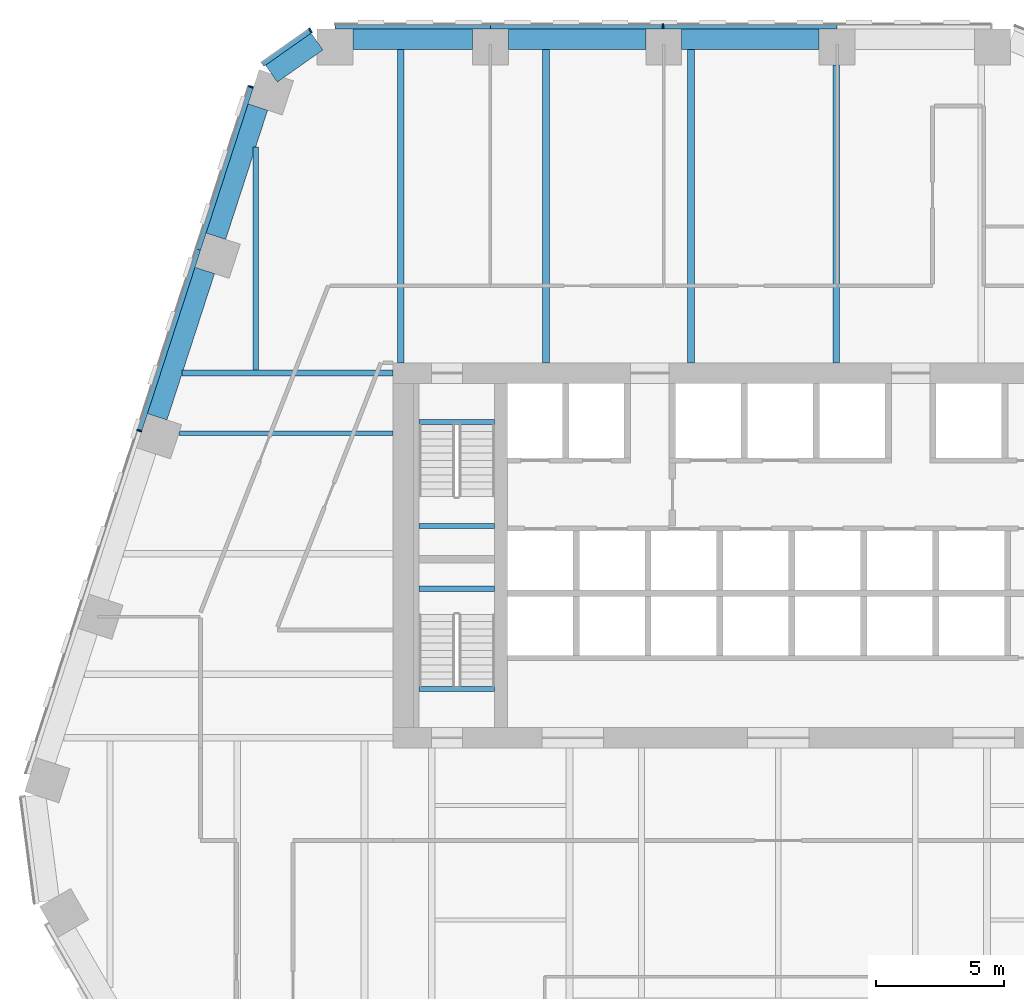
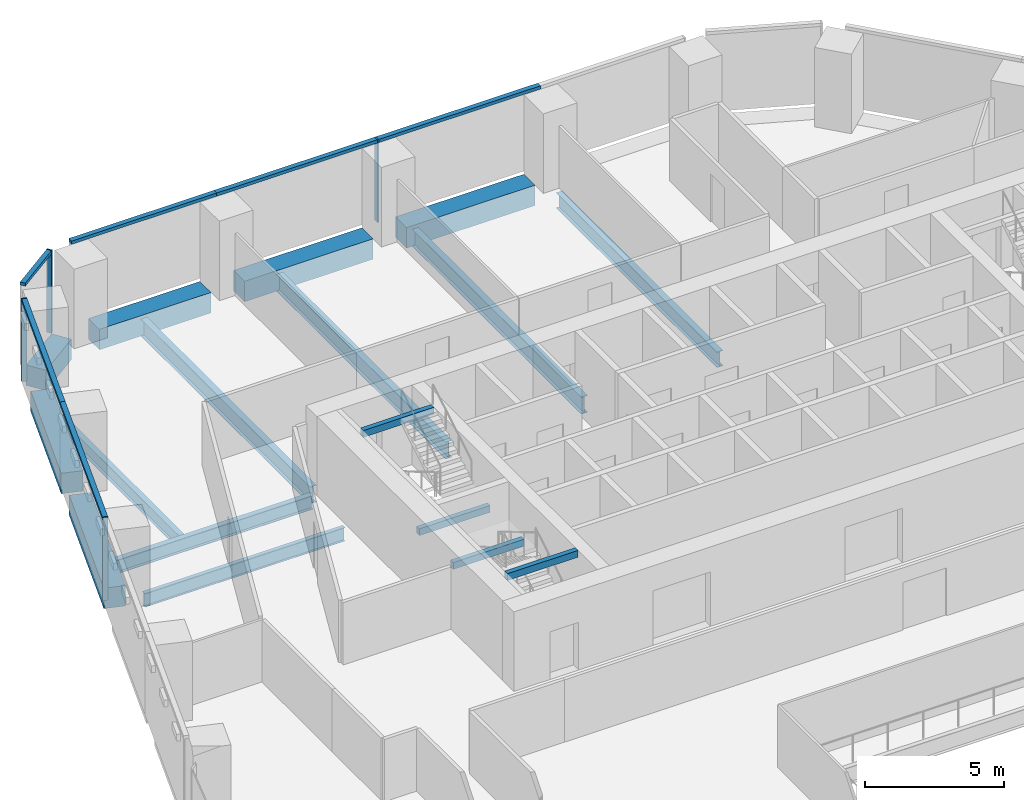
# One storey, part 7 of 17: 17 beams, 10 members, 3 elements without a shape of their own.
"""IFC4 building model written with IfcOpenShell, lengths in metres."""

from ifc_helpers import new_model, si_unit, direction, frame, origin, origin_2d, place, context, subcontext, project, spatial, rectangle, i_section, extrude, material, layer, layer_set, material_profile, profile_set, type_object, element, aggregate, save


model = new_model("IFC4")

# Units and contexts
model_context = context("Model", 3, precision=1e-05, world=origin(), true_north=direction((0.0, 1.0)))
body_context = subcontext(model_context, "Body", "Model", "MODEL_VIEW")
ifc_project = project(units=[si_unit("LENGTHUNIT", "METRE"), si_unit("AREAUNIT", "SQUARE_METRE"), si_unit("VOLUMEUNIT", "CUBIC_METRE"), si_unit("PLANEANGLEUNIT", "RADIAN"), si_unit("MASSUNIT", "GRAM", prefix="KILO")], contexts=[model_context])

# Site, building, storey
site_placement = place(None, origin())
site = spatial("IfcSite", under=ifc_project, at=site_placement, CompositionType="ELEMENT")
building_placement = place(site_placement, origin())
building = spatial("IfcBuilding", under=site, at=building_placement, Name="Isthmus Gate Tower", CompositionType="ELEMENT")
storey_placement = place(building_placement, frame((0.0, 0.0, 126.14990234375)))
storey = spatial("IfcBuildingStorey", under=building, at=storey_placement, Name="L30", CompositionType="ELEMENT", Elevation=126.14990234375)

# Curtain wall, member
ifc_material_1 = material(Name="Aluminium, pale champagne anodised", Category="aluminium")
ifc_layer = layer(ifc_material_1, 0.199951171875)
ifc_layer_set = layer_set([ifc_layer], Name="CW-1 UNITISED CURTAIN WALL 200 DEEP")
curtain_wall_type = type_object("IfcCurtainWallType", Name="CW-1 UNITISED CURTAIN WALL 200 DEEP", PredefinedType="NOTDEFINED", material=ifc_layer_set)
curtain_wall_1_placement = place(storey_placement, origin())
curtain_wall_1 = element("IfcCurtainWall", 1, at=curtain_wall_1_placement, inside=storey, type_object=curtain_wall_type, Name="CW-1 N L30", PredefinedType="NOTDEFINED")
ifc_material_2 = material(Name="Aluminium, pale champagne anodised", Category="aluminium")
ifc_material_profile_1 = material_profile(ifc_material_2, rectangle(XDim=0.06005859375, YDim=0.199951171875, at=origin_2d()), Name="60x200")
ifc_profile_set_1 = profile_set([ifc_material_profile_1], Name="Aluminium, pale champagne anodised")
member_type_1 = type_object("IfcMemberType", Name="CW-1 MULLION 60 X 200", PredefinedType="MULLION", material=ifc_profile_set_1)
member_1_placement = place(storey_placement, frame((-4.49169921875, 28.10009765625, 0.0), z_axis=(0.0, 0.0, 1.0), x_axis=(-1.0, 0.0, 0.0)))
member_1 = element("IfcMember", 2, at=member_1_placement, type_object=member_type_1, Name="CW-1 mullion", PredefinedType="MULLION", context=body_context, shape_type="SweptSolid", body=[
    extrude(rectangle(XDim=0.06005859375, YDim=0.199951171875, at=origin_2d()), origin(), (0.0, 0.0, 1.0), 3.650146484375),
])

curtain_wall_2_placement = place(storey_placement, origin())
curtain_wall_2 = element("IfcCurtainWall", 3, at=curtain_wall_2_placement, inside=storey, type_object=curtain_wall_type, Name="CW-1 N-NW L30", PredefinedType="NOTDEFINED")
member_2_placement = place(storey_placement, frame((-18.216552734375, 27.943115234375, 0.0), z_axis=(0.0, 0.0, 1.0), x_axis=(-0.81785959165, -0.57541783805, 0.0)))
member_2 = element("IfcMember", 4, at=member_2_placement, type_object=member_type_1, Name="CW-1 mullion", PredefinedType="MULLION", context=body_context, shape_type="SweptSolid", body=[
    extrude(rectangle(XDim=0.06005859375, YDim=0.199951171875, at=origin_2d()), origin(), (0.0, 0.0, 1.0), 3.650146484375),
])

# Curtain wall, members
curtain_wall_3_placement = place(storey_placement, origin())
curtain_wall_3 = element("IfcCurtainWall", 5, at=curtain_wall_3_placement, inside=storey, type_object=curtain_wall_type, Name="CW-1 NW L30", PredefinedType="NOTDEFINED")
member_3_placement = place(storey_placement, frame((-20.53564453125, 25.75146484375, 0.0), z_axis=(0.0, 0.0, 1.0), x_axis=(-0.309016994375, -0.951056516295, 0.0)))
member_3 = element("IfcMember", 6, at=member_3_placement, type_object=member_type_1, Name="CW-1 mullion", PredefinedType="MULLION", context=body_context, shape_type="SweptSolid", body=[
    extrude(rectangle(XDim=0.06005859375, YDim=0.199951171875, at=origin_2d()), origin(), (0.0, 0.0, 1.0), 3.650146484375),
])
member_4_placement = place(storey_placement, frame((-24.886962890625, 12.359130859375, 0.0), z_axis=(0.0, 0.0, 1.0), x_axis=(-0.309016994375, -0.951056516295, 0.0)))
member_4 = element("IfcMember", 7, at=member_4_placement, type_object=member_type_1, Name="CW-1 mullion", PredefinedType="MULLION", context=body_context, shape_type="SweptSolid", body=[
    extrude(rectangle(XDim=0.06005859375, YDim=0.199951171875, at=origin_2d()), origin(), (0.0, 0.0, 1.0), 3.650146484375),
])

# Member
ifc_material_3 = material(Name="Aluminium, pale champagne anodised", Category="aluminium")
ifc_material_profile_2 = material_profile(ifc_material_3, rectangle(XDim=0.199951171875, YDim=0.139892578125, at=origin_2d()), Name="200x140")
ifc_profile_set_2 = profile_set([ifc_material_profile_2], Name="Aluminium, pale champagne anodised")
member_type_2 = type_object("IfcMemberType", Name="CW-1 TRANSOM 200 X 140", PredefinedType="USERDEFINED", material=ifc_profile_set_2)
member_5_placement = place(storey_placement, frame((2.288330078125, 28.10009765625, 3.580078125), z_axis=(-1.0, 0.0, 0.0), x_axis=(0.0, -1.0, 0.0)))
member_5 = element("IfcMember", 8, at=member_5_placement, type_object=member_type_2, Name="CW-1 transom", ObjectType="TRANSOM", PredefinedType="USERDEFINED", context=body_context, shape_type="SweptSolid", body=[
    extrude(rectangle(XDim=0.199951171875, YDim=0.139892578125, at=origin_2d()), origin(), (0.0, 0.0, 1.0), 6.75),
])

member_6_placement = place(storey_placement, frame((-4.521728515625, 28.10009765625, 3.580078125), z_axis=(-1.0, 0.0, 0.0), x_axis=(0.0, -1.0, 0.0)))
member_6 = element("IfcMember", 9, at=member_6_placement, type_object=member_type_2, Name="CW-1 transom", ObjectType="TRANSOM", PredefinedType="USERDEFINED", context=body_context, shape_type="SweptSolid", body=[
    extrude(rectangle(XDim=0.199951171875, YDim=0.139892578125, at=origin_2d()), origin(), (0.0, 0.0, 1.0), 6.690185546875),
])

member_7_placement = place(storey_placement, frame((-11.2119140625, 28.10009765625, 3.580078125), z_axis=(-1.0, 0.0, 0.0), x_axis=(0.0, -1.0, 0.0)))
member_7 = element("IfcMember", 10, at=member_7_placement, type_object=member_type_2, Name="CW-1 transom", ObjectType="TRANSOM", PredefinedType="USERDEFINED", context=body_context, shape_type="SweptSolid", body=[
    extrude(rectangle(XDim=0.199951171875, YDim=0.139892578125, at=origin_2d()), origin(), (0.0, 0.0, 1.0), 6.050048828125),
])

aggregate(curtain_wall_1, [member_5, member_1, member_6, member_7])

member_8_placement = place(storey_placement, frame((-18.2412109375, 27.92578125, 3.580078125), z_axis=(-0.817868595604, -0.575405040233, 0.0), x_axis=(0.575405040233, -0.817868595604, 0.0)))
member_8 = element("IfcMember", 11, at=member_8_placement, type_object=member_type_2, Name="CW-1 transom", ObjectType="TRANSOM", PredefinedType="USERDEFINED", context=body_context, shape_type="SweptSolid", body=[
    extrude(rectangle(XDim=0.199951171875, YDim=0.139892578125, at=origin_2d()), origin(), (0.0, 0.0, 1.0), 2.258544921875),
])

aggregate(curtain_wall_2, [member_2, member_8])

member_9_placement = place(storey_placement, frame((-20.544921875, 25.72314453125, 3.580078125), z_axis=(-0.30898366881, -0.951067343782, 0.0), x_axis=(0.951067343782, -0.30898366881, 0.0)))
member_9 = element("IfcMember", 12, at=member_9_placement, type_object=member_type_2, Name="CW-1 transom", ObjectType="TRANSOM", PredefinedType="USERDEFINED", context=body_context, shape_type="SweptSolid", body=[
    extrude(rectangle(XDim=0.199951171875, YDim=0.139892578125, at=origin_2d()), origin(), (0.0, 0.0, 1.0), 6.630859375),
])

member_10_placement = place(storey_placement, frame((-22.59375, 19.416748046875, 3.580078125), z_axis=(-0.309024076379, -0.951054215183, 0.0), x_axis=(0.951054215183, -0.309024076379, 0.0)))
member_10 = element("IfcMember", 13, at=member_10_placement, type_object=member_type_2, Name="CW-1 transom", ObjectType="TRANSOM", PredefinedType="USERDEFINED", context=body_context, shape_type="SweptSolid", body=[
    extrude(rectangle(XDim=0.199951171875, YDim=0.139892578125, at=origin_2d()), origin(), (0.0, 0.0, 1.0), 7.390869140625),
])

aggregate(curtain_wall_3, [member_3, member_9, member_10, member_4])

# Beams
ifc_material_4 = material(Name="Concrete f'c 60 MPa", Category="concrete")
ifc_material_profile_3 = material_profile(ifc_material_4, rectangle(XDim=0.800048828125, YDim=0.89990234375, at=origin_2d()), Name="RC 800X900")
ifc_profile_set_3 = profile_set([ifc_material_profile_3], Name="Concrete f'c 60 MPa")
beam_type_1 = type_object("IfcBeamType", Name="RC SPANDREL 800 X 900", PredefinedType="SPANDREL", material=ifc_profile_set_3)
beam_1_placement = place(storey_placement, frame((-24.185791015625, 12.89892578125, -0.449951171875), z_axis=(0.308992998998, 0.951064312531, 0.0), x_axis=(-0.951064312531, 0.308992998998, 0.0)))
element("IfcBeam", 14, at=beam_1_placement, inside=storey, type_object=beam_type_1, Name="str-spandrel-L30-23", PredefinedType="SPANDREL", context=body_context, shape_type="SweptSolid", body=[
    extrude(rectangle(XDim=0.800048828125, YDim=0.89990234375, at=origin_2d()), origin(), (0.0, 0.0, 1.0), 5.99072265625),
])
beam_2_placement = place(storey_placement, frame((-21.902099609375, 19.927978515625, -0.449951171875), z_axis=(0.309020339202, 0.951055429489, 0.0), x_axis=(-0.951055429489, 0.309020339202, 0.0)))
element("IfcBeam", 15, at=beam_2_placement, inside=storey, type_object=beam_type_1, Name="str-spandrel-L30-24", PredefinedType="SPANDREL", context=body_context, shape_type="SweptSolid", body=[
    extrude(rectangle(XDim=0.800048828125, YDim=0.89990234375, at=origin_2d()), origin(), (0.0, 0.0, 1.0), 5.291015625),
])
beam_3_placement = place(storey_placement, frame((-19.7392578125, 26.260498046875, -0.449951171875), z_axis=(0.817857331203, 0.575421050882, 0.0), x_axis=(-0.575421050882, 0.817857331203, 0.0)))
element("IfcBeam", 16, at=beam_3_placement, inside=storey, type_object=beam_type_1, Name="str-spandrel-L30-25", PredefinedType="SPANDREL", context=body_context, shape_type="SweptSolid", body=[
    extrude(rectangle(XDim=0.800048828125, YDim=0.89990234375, at=origin_2d()), origin(), (0.0, 0.0, 1.0), 2.173095703125),
])
beam_4_placement = place(storey_placement, frame((-16.56201171875, 27.60009765625, -0.449951171875), z_axis=(1.0, 0.0, 0.0), x_axis=(0.0, 1.0, 0.0)))
element("IfcBeam", 17, at=beam_4_placement, inside=storey, type_object=beam_type_1, Name="str-spandrel-L30-26", PredefinedType="SPANDREL", context=body_context, shape_type="SweptSolid", body=[
    extrude(rectangle(XDim=0.800048828125, YDim=0.89990234375, at=origin_2d()), origin(), (0.0, 0.0, 1.0), 4.650146484375),
])
for number, where, z_axis, x_axis, name in (
    (18, (-10.51171875, 27.60009765625, -0.449951171875), (1.0, 0.0, 0.0), (0.0, 1.0, 0.0), "str-spandrel-L30-27"),
    (19, (-3.76171875, 27.60009765625, -0.449951171875), (1.0, 0.0, 0.0), (0.0, 1.0, 0.0), "str-spandrel-L30-28"),
):
    element("IfcBeam", number, at=place(storey_placement, frame(where, z_axis=z_axis, x_axis=x_axis)), inside=storey, type_object=beam_type_1, Name=name, PredefinedType="SPANDREL", context=body_context, shape_type="SweptSolid", body=[
        extrude(rectangle(XDim=0.800048828125, YDim=0.89990234375, at=origin_2d()), origin(), (0.0, 0.0, 1.0), 5.35009765625),
    ])
ifc_material_5 = material(Name="Concrete f'c 40 MPa", Category="concrete")
ifc_material_profile_4 = material_profile(ifc_material_5, rectangle(XDim=0.199951171875, YDim=0.300048828125, at=origin_2d()), Name="STAIR LANDING BEAM RC 200 X 300")
ifc_profile_set_4 = profile_set([ifc_material_profile_4], Name="Concrete f'c 40 MPa")
beam_type_2 = type_object("IfcBeamType", Name="STAIR LANDING BEAM RC 200 X 300", PredefinedType="BEAM", material=ifc_profile_set_4)
for number, where, z_axis, x_axis, name in (
    (20, (-14.0, 8.64990234375, 1.47509765625), (1.0, 0.0, 0.0), (0.0, 1.0, 0.0), "L30 ST1 landing beam 1"),
    (21, (-14.0, 12.7001953125, 3.35009765625), (1.0, 0.0, 0.0), (0.0, 1.0, 0.0), "L30 ST1 floor-edge seat beam"),
    (22, (-14.0, 6.199951171875, 1.47509765625), (1.0, 0.0, 0.0), (0.0, 1.0, 0.0), "L30 ST7 landing beam 1"),
    (23, (-14.0, 2.2998046875, 3.35009765625), (1.0, 0.0, 0.0), (0.0, 1.0, 0.0), "L30 ST7 floor-edge seat beam"),
):
    element("IfcBeam", number, at=place(storey_placement, frame(where, z_axis=z_axis, x_axis=x_axis)), inside=storey, type_object=beam_type_2, Name=name, PredefinedType="BEAM", context=body_context, shape_type="SweptSolid", body=[
        extrude(rectangle(XDim=0.199951171875, YDim=0.300048828125, at=origin_2d()), origin(), (0.0, 0.0, 1.0), 2.949951171875),
    ])
ifc_material_6 = material(Name="Structural steel ASTM A992 Gr 50", Category="steel")
ifc_material_profile_5 = material_profile(ifc_material_6, i_section(OverallWidth=0.177734375, OverallDepth=0.60009765625, WebThickness=0.009521484375, FlangeThickness=0.0126953125, at=origin_2d()), Name="W24X55")
ifc_profile_set_5 = profile_set([ifc_material_profile_5], Name="Structural steel ASTM A992 Gr 50")
beam_type_3 = type_object("IfcBeamType", Name="STEEL FLOOR BEAM W24X55", PredefinedType="JOIST", material=ifc_profile_set_5)
beam_5_placement = place(storey_placement, frame((-23.343505859375, 12.25537109375, -0.449951171875), z_axis=(1.0, 0.0, 0.0), x_axis=(0.0, 1.0, 0.0)))
element("IfcBeam", 24, at=beam_5_placement, inside=storey, type_object=beam_type_3, Name="str-beam-L30-01-02", PredefinedType="JOIST", context=body_context, shape_type="SweptSolid", body=[
    extrude(i_section(OverallWidth=0.177734375, OverallDepth=0.60009765625, WebThickness=0.009521484375, FlangeThickness=0.0126953125, at=origin_2d()), origin(), (0.0, 0.0, 1.0), 8.343505859375),
])
ifc_material_7 = material(Name="Structural steel ASTM A992 Gr 50", Category="steel")
ifc_material_profile_6 = material_profile(ifc_material_7, i_section(OverallWidth=0.228515625, OverallDepth=0.603271484375, WebThickness=0.010986328125, FlangeThickness=0.014404296875, at=origin_2d()), Name="W24X68")
ifc_profile_set_6 = profile_set([ifc_material_profile_6], Name="Structural steel ASTM A992 Gr 50")
beam_type_4 = type_object("IfcBeamType", Name="STEEL FLOOR BEAM W24X68", PredefinedType="JOIST", material=ifc_profile_set_6)
beam_6_placement = place(storey_placement, frame((-20.35009765625, 14.71435546875, -0.451416015625), z_axis=(0.0, 1.0, 0.0), x_axis=(-1.0, 0.0, 0.0)))
element("IfcBeam", 25, at=beam_6_placement, inside=storey, type_object=beam_type_4, Name="str-beam-L30-05-00", PredefinedType="JOIST", context=body_context, shape_type="SweptSolid", body=[
    extrude(i_section(OverallWidth=0.228515625, OverallDepth=0.603271484375, WebThickness=0.010986328125, FlangeThickness=0.014404296875, at=origin_2d()), origin(), (0.0, 0.0, 1.0), 8.6953125),
])
ifc_material_8 = material(Name="Structural steel ASTM A992 Gr 50", Category="steel")
ifc_material_profile_7 = material_profile(ifc_material_8, i_section(OverallWidth=0.25390625, OverallDepth=0.679443359375, WebThickness=0.010986328125, FlangeThickness=0.015869140625, at=origin_2d()), Name="W27X84")
ifc_profile_set_7 = profile_set([ifc_material_profile_7], Name="Structural steel ASTM A992 Gr 50")
beam_type_5 = type_object("IfcBeamType", Name="STEEL FLOOR BEAM W27X84", PredefinedType="JOIST", material=ifc_profile_set_7)
beam_7_placement = place(storey_placement, frame((2.25244140625, 15.0, -0.489501953125), z_axis=(0.0, 1.0, 0.0), x_axis=(-1.0, 0.0, 0.0)))
element("IfcBeam", 26, at=beam_7_placement, inside=storey, type_object=beam_type_5, Name="str-beam-L30-05-04", PredefinedType="JOIST", context=body_context, shape_type="SweptSolid", body=[
    extrude(i_section(OverallWidth=0.25390625, OverallDepth=0.679443359375, WebThickness=0.010986328125, FlangeThickness=0.015869140625, at=origin_2d()), origin(), (0.0, 0.0, 1.0), 11.60009765625),
])
ifc_material_9 = material(Name="Structural steel ASTM A992 Gr 50", Category="steel")
ifc_material_profile_8 = material_profile(ifc_material_9, i_section(OverallWidth=0.263427734375, OverallDepth=0.749267578125, WebThickness=0.0126953125, FlangeThickness=0.015869140625, at=origin_2d()), Name="W30X90")
ifc_profile_set_8 = profile_set([ifc_material_profile_8], Name="Structural steel ASTM A992 Gr 50")
beam_type_6 = type_object("IfcBeamType", Name="STEEL FLOOR BEAM W30X90", PredefinedType="JOIST", material=ifc_profile_set_8)
for number, where, z_axis, x_axis, name in (
    (27, (-14.699462890625, 15.0, -0.524658203125), (0.0, 1.0, 0.0), (-1.0, 0.0, 0.0), "str-beam-L30-05-01"),
    (28, (-9.048828125, 15.0, -0.524658203125), (0.0, 1.0, 0.0), (-1.0, 0.0, 0.0), "str-beam-L30-05-02"),
    (29, (-3.398193359375, 15.0, -0.524658203125), (0.0, 1.0, 0.0), (-1.0, 0.0, 0.0), "str-beam-L30-05-03"),
):
    element("IfcBeam", number, at=place(storey_placement, frame(where, z_axis=z_axis, x_axis=x_axis)), inside=storey, type_object=beam_type_6, Name=name, PredefinedType="JOIST", context=body_context, shape_type="SweptSolid", body=[
        extrude(i_section(OverallWidth=0.263427734375, OverallDepth=0.749267578125, WebThickness=0.0126953125, FlangeThickness=0.015869140625, at=origin_2d()), origin(), (0.0, 0.0, 1.0), 12.199951171875),
    ])
ifc_material_10 = material(Name="Structural steel ASTM A992 Gr 50", Category="steel")
ifc_material_profile_9 = material_profile(ifc_material_10, i_section(OverallWidth=0.228515625, OverallDepth=0.6064453125, WebThickness=0.010986328125, FlangeThickness=0.017578125, at=origin_2d()), Name="W24X76")
ifc_profile_set_9 = profile_set([ifc_material_profile_9], Name="Structural steel ASTM A992 Gr 50")
beam_type_7 = type_object("IfcBeamType", Name="STEEL GIRDER W24X76", PredefinedType="BEAM", material=ifc_profile_set_9)
beam_8_placement = place(storey_placement, frame((-15.0, 14.60009765625, -0.453125), z_axis=(-1.0, 0.0, 0.0), x_axis=(0.0, -1.0, 0.0)))
element("IfcBeam", 30, at=beam_8_placement, inside=storey, type_object=beam_type_7, Name="str-girder-L30-15", PredefinedType="BEAM", context=body_context, shape_type="SweptSolid", body=[
    extrude(i_section(OverallWidth=0.228515625, OverallDepth=0.6064453125, WebThickness=0.010986328125, FlangeThickness=0.017578125, at=origin_2d()), origin(), (0.0, 0.0, 1.0), 8.212646484375),
])

save(model, "model.ifc")
